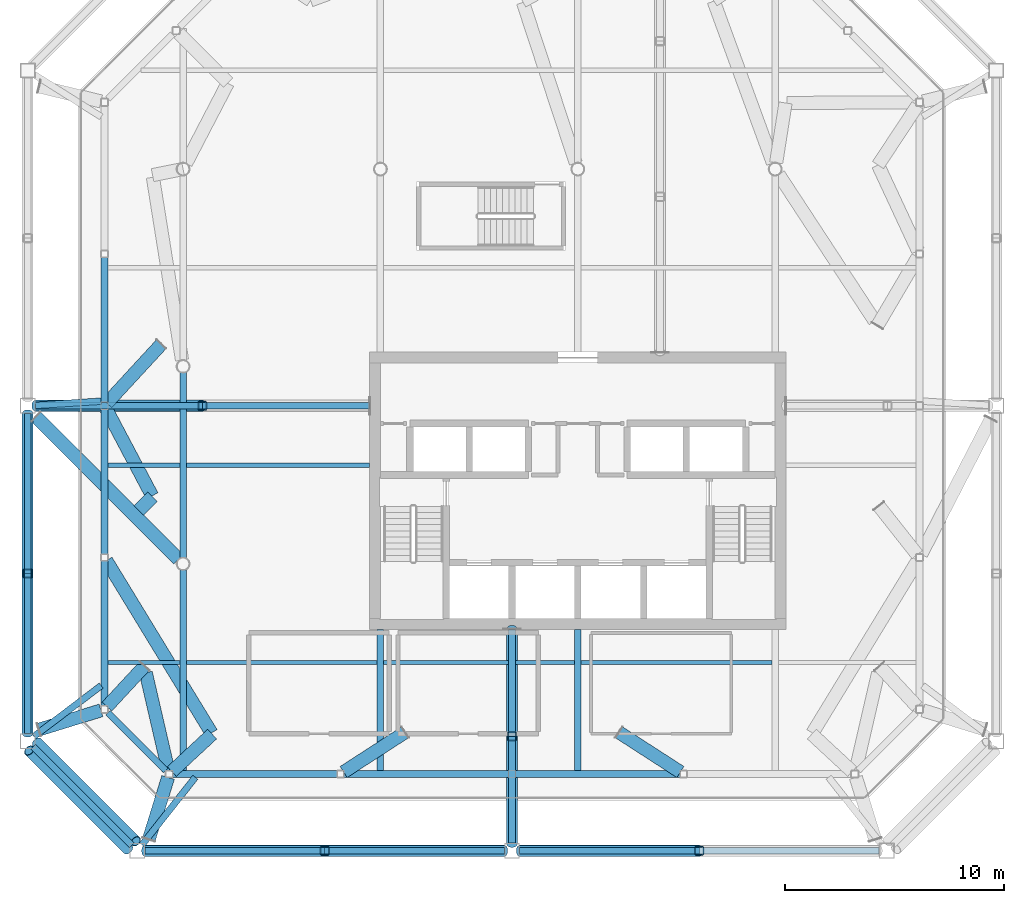
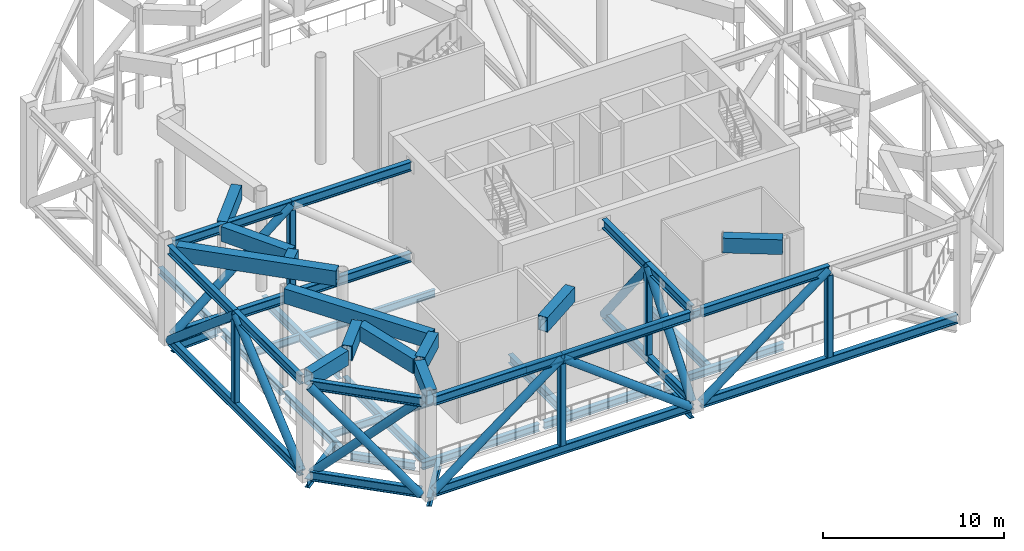
# One storey, part 3 of 17: 51 beams, 15 members.
"""IFC4 building model written with IfcOpenShell, lengths in metres."""

from ifc_helpers import new_model, si_unit, direction, frame, origin, origin_2d, place, context, subcontext, project, spatial, hollow_rectangle, hollow_circle, i_section, extrude, material, material_profile, profile_set, type_object, element, save


model = new_model("IFC4")

# Units and contexts
model_context = context("Model", 3, precision=1e-05, world=origin(), true_north=direction((0.0, 1.0)))
body_context = subcontext(model_context, "Body", "Model", "MODEL_VIEW")
ifc_project = project(units=[si_unit("LENGTHUNIT", "METRE"), si_unit("AREAUNIT", "SQUARE_METRE"), si_unit("VOLUMEUNIT", "CUBIC_METRE"), si_unit("PLANEANGLEUNIT", "RADIAN"), si_unit("MASSUNIT", "GRAM", prefix="KILO")], contexts=[model_context])

# Site, building, storey
site_placement = place(None, origin())
site = spatial("IfcSite", under=ifc_project, at=site_placement, CompositionType="ELEMENT")
building_placement = place(site_placement, origin())
building = spatial("IfcBuilding", under=site, at=building_placement, Name="Tskaro Facet Tower", CompositionType="ELEMENT")
storey_placement = place(building_placement, frame((0.0, 0.0, 210.0)))
storey = spatial("IfcBuildingStorey", under=building, at=storey_placement, Name="L54", CompositionType="ELEMENT", Elevation=210.0)

# Beams
ifc_material_1 = material(Name="Steel S355J2", Category="steel")
ifc_material_profile_1 = material_profile(ifc_material_1, hollow_rectangle(XDim=0.60009765625, YDim=1.0, WallThickness=0.0400390625, at=origin_2d()), Name="BOX 600x1000x40")
ifc_profile_set_1 = profile_set([ifc_material_profile_1], Name="Steel S355J2")
beam_type_1 = type_object("IfcBeamType", Name="BOX 600x1000x40 transfer girder", PredefinedType="BEAM", material=ifc_profile_set_1)
beam_1_placement = place(storey_placement, frame((-24.696044921875, -2.302001953125, 6.280029296875), z_axis=(0.70701365242, -0.70719989769, 0.0), x_axis=(0.70719989769, 0.70701365242, 0.0)))
element("IfcBeam", 1, at=beam_1_placement, inside=storey, type_object=beam_type_1, Name="BOX 600x1000x40 TG5-2", PredefinedType="BEAM", context=body_context, shape_type="SweptSolid", body=[
    extrude(hollow_rectangle(XDim=0.60009765625, YDim=1.0, WallThickness=0.0400390625, at=origin_2d()), origin(), (0.0, 0.0, 1.0), 9.176025390625),
])
for number, where, z_axis, x_axis, name in (
    (2, (-19.556884765625, -21.559814453125, 6.280029296875), (0.296409620077, 0.955060907548, 0.0), (-0.955060907548, 0.296409620077, 0.0), "BOX 600x1000x40 TG5-4"),
    (3, (-24.559814453125, -16.556884765625, 6.280029296875), (0.955060907548, 0.296409620077, 0.0), (-0.296409620077, 0.955060907548, 0.0), "BOX 600x1000x40 TG5-6"),
):
    element("IfcBeam", number, at=place(storey_placement, frame(where, z_axis=z_axis, x_axis=x_axis)), inside=storey, type_object=beam_type_1, Name=name, PredefinedType="BEAM", context=body_context, shape_type="SweptSolid", body=[
        extrude(hollow_rectangle(XDim=0.60009765625, YDim=1.0, WallThickness=0.0400390625, at=origin_2d()), origin(), (0.0, 0.0, 1.0), 2.951904296875),
    ])
beam_2_placement = place(storey_placement, frame((-19.00244140625, 1.004638671875, 6.280029296875), z_axis=(-0.678034991294, -0.735029625649, 0.0), x_axis=(0.735029625649, -0.678034991294, 0.0)))
element("IfcBeam", 4, at=beam_2_placement, inside=storey, type_object=beam_type_1, Name="BOX 600x1000x40 TG5-13", PredefinedType="BEAM", context=body_context, shape_type="SweptSolid", body=[
    extrude(hollow_rectangle(XDim=0.60009765625, YDim=1.0, WallThickness=0.0400390625, at=origin_2d()), origin(), (0.0, 0.0, 1.0), 3.64111328125),
])
beam_3_placement = place(storey_placement, frame((-16.67138671875, -16.764892578125, 6.280029296875), z_axis=(-0.733399539589, -0.679797848872, 0.0), x_axis=(0.679797848872, -0.733399539589, 0.0)))
element("IfcBeam", 5, at=beam_3_placement, inside=storey, type_object=beam_type_1, Name="BOX 600x1000x40 TG5-14", PredefinedType="BEAM", context=body_context, shape_type="SweptSolid", body=[
    extrude(hollow_rectangle(XDim=0.60009765625, YDim=1.0, WallThickness=0.0400390625, at=origin_2d()), origin(), (0.0, 0.0, 1.0), 2.509765625),
])
beam_4_placement = place(storey_placement, frame((-16.70263671875, -16.713623046875, 6.280029296875), z_axis=(-0.520752631069, 0.853707618119, 0.0), x_axis=(-0.853707618119, -0.520752631069, 0.0)))
element("IfcBeam", 6, at=beam_4_placement, inside=storey, type_object=beam_type_1, Name="BOX 600x1000x40 TG5-15", PredefinedType="BEAM", context=body_context, shape_type="SweptSolid", body=[
    extrude(hollow_rectangle(XDim=0.60009765625, YDim=1.0, WallThickness=0.0400390625, at=origin_2d()), origin(), (0.0, 0.0, 1.0), 9.206787109375),
])
beam_5_placement = place(storey_placement, frame((-19.764892578125, -13.67138671875, 6.280029296875), z_axis=(-0.679797848872, -0.733399539589, 0.0), x_axis=(0.733399539589, -0.679797848872, 0.0)))
element("IfcBeam", 7, at=beam_5_placement, inside=storey, type_object=beam_type_1, Name="BOX 600x1000x40 TG5-20", PredefinedType="BEAM", context=body_context, shape_type="SweptSolid", body=[
    extrude(hollow_rectangle(XDim=0.60009765625, YDim=1.0, WallThickness=0.0400390625, at=origin_2d()), origin(), (0.0, 0.0, 1.0), 2.509765625),
])
beam_6_placement = place(storey_placement, frame((-19.697509765625, -13.963623046875, 6.280029296875), z_axis=(0.224539932658, -0.974464888358, 0.0), x_axis=(0.974464888358, 0.224539932658, 0.0)))
element("IfcBeam", 8, at=beam_6_placement, inside=storey, type_object=beam_type_1, Name="BOX 600x1000x40 TG5-21", PredefinedType="BEAM", context=body_context, shape_type="SweptSolid", body=[
    extrude(hollow_rectangle(XDim=0.60009765625, YDim=1.0, WallThickness=0.0400390625, at=origin_2d()), origin(), (0.0, 0.0, 1.0), 4.575439453125),
])
beam_7_placement = place(storey_placement, frame((-19.39111328125, -5.93701171875, 6.280029296875), z_axis=(-0.707106781187, -0.707106781187, 0.0), x_axis=(0.707106781187, -0.707106781187, 0.0)))
element("IfcBeam", 9, at=beam_7_placement, inside=storey, type_object=beam_type_1, Name="BOX 600x1000x40 TG5-22", PredefinedType="BEAM", context=body_context, shape_type="SweptSolid", body=[
    extrude(hollow_rectangle(XDim=0.60009765625, YDim=1.0, WallThickness=0.0400390625, at=origin_2d()), origin(), (0.0, 0.0, 1.0), 0.891845703125),
])
beam_8_placement = place(storey_placement, frame((-19.40966796875, -5.901611328125, 6.280029296875), z_axis=(-0.46759493459, 0.88394285853, 0.0), x_axis=(-0.88394285853, -0.46759493459, 0.0)))
element("IfcBeam", 10, at=beam_8_placement, inside=storey, type_object=beam_type_1, Name="BOX 600x1000x40 TG5-23", PredefinedType="BEAM", context=body_context, shape_type="SweptSolid", body=[
    extrude(hollow_rectangle(XDim=0.60009765625, YDim=1.0, WallThickness=0.0400390625, at=origin_2d()), origin(), (0.0, 0.0, 1.0), 4.48291015625),
])
beam_9_placement = place(storey_placement, frame((-7.885009765625, -16.689453125, 6.280029296875), z_axis=(-0.839973829286, -0.542626912449, 0.0), x_axis=(0.542626912449, -0.839973829286, 0.0)))
element("IfcBeam", 11, at=beam_9_placement, inside=storey, type_object=beam_type_1, Name="BOX 600x1000x40 TG5-37", PredefinedType="BEAM", context=body_context, shape_type="SweptSolid", body=[
    extrude(hollow_rectangle(XDim=0.60009765625, YDim=1.0, WallThickness=0.0400390625, at=origin_2d()), origin(), (0.0, 0.0, 1.0), 3.324462890625),
])
beam_10_placement = place(storey_placement, frame((1.885009765625, -16.689453125, 6.280029296875), z_axis=(0.840060289756, -0.542493050254, 0.0), x_axis=(0.542493050254, 0.840060289756, 0.0)))
element("IfcBeam", 12, at=beam_10_placement, inside=storey, type_object=beam_type_1, Name="BOX 600x1000x40 TG5-38", PredefinedType="BEAM", context=body_context, shape_type="SweptSolid", body=[
    extrude(hollow_rectangle(XDim=0.60009765625, YDim=1.0, WallThickness=0.0400390625, at=origin_2d()), origin(), (0.0, 0.0, 1.0), 3.3251953125),
])

# Members
ifc_material_2 = material(Name="Steel S355J2H", Category="steel")
ifc_material_profile_2 = material_profile(ifc_material_2, hollow_circle(Radius=0.25390625, WallThickness=0.02490234375, at=origin_2d()), Name="CHS 508x25")
ifc_profile_set_2 = profile_set([ifc_material_profile_2], Name="Steel S355J2H")
member_type_1 = type_object("IfcMemberType", Name="CHS 508x25 belt diagonal", PredefinedType="BRACE", material=ifc_profile_set_2)
for number, where, z_axis, x_axis, name in (
    (13, (-19.73388671875, -22.0849609375, 0.31005859375), (0.799250481473, 0.0, 0.600998059785), (0.0, 1.0, 0.0), "CHS 508x25 BD4-011"),
    (14, (-11.5419921875, -22.0849609375, 6.469970703125), (0.799250481473, 0.0, -0.600998059785), (0.0, 1.0, 0.0), "CHS 508x25 BD4-012"),
    (15, (-2.64990234375, -22.0849609375, 0.31005859375), (0.799250481473, 0.0, 0.600998059785), (0.0, 1.0, 0.0), "CHS 508x25 BD4-021"),
):
    element("IfcMember", number, at=place(storey_placement, frame(where, z_axis=z_axis, x_axis=x_axis)), inside=storey, type_object=member_type_1, Name=name, PredefinedType="BRACE", context=body_context, shape_type="SweptSolid", body=[
        extrude(hollow_circle(Radius=0.25390625, WallThickness=0.02490234375, at=origin_2d()), origin(), (0.0, 0.0, 1.0), 10.24951171875),
    ])
for number, where, z_axis, x_axis, name in (
    (16, (-25.0849609375, -2.14306640625, 0.31005859375), (0.0, -0.764063805812, 0.645140682834), (1.0, 0.0, 0.0), "CHS 508x25 BD4-111"),
    (17, (-25.0849609375, -9.4384765625, 6.469970703125), (0.0, -0.764063805812, -0.645140682834), (1.0, 0.0, 0.0), "CHS 508x25 BD4-112"),
):
    element("IfcMember", number, at=place(storey_placement, frame(where, z_axis=z_axis, x_axis=x_axis)), inside=storey, type_object=member_type_1, Name=name, PredefinedType="BRACE", context=body_context, shape_type="SweptSolid", body=[
        extrude(hollow_circle(Radius=0.25390625, WallThickness=0.02490234375, at=origin_2d()), origin(), (0.0, 0.0, 1.0), 9.548095703125),
    ])
for number, where, z_axis, x_axis, name in (
    (18, (-24.657958984375, -17.15185546875, 0.31005859375), (0.508411955211, -0.508411955211, 0.69500688313), (0.707106781187, 0.707106781187, 0.0), "CHS 508x25 BD4-121"),
    (19, (-25.01708984375, -17.510986328125, 6.469970703125), (0.508411955211, -0.508411955211, -0.69500688313), (0.707106781187, 0.707106781187, 0.0), "CHS 508x25 BD4-122"),
):
    element("IfcMember", number, at=place(storey_placement, frame(where, z_axis=z_axis, x_axis=x_axis)), inside=storey, type_object=member_type_1, Name=name, PredefinedType="BRACE", context=body_context, shape_type="SweptSolid", body=[
        extrude(hollow_circle(Radius=0.25390625, WallThickness=0.02490234375, at=origin_2d()), origin(), (0.0, 0.0, 1.0), 8.863037109375),
    ])
ifc_material_profile_3 = material_profile(ifc_material_2, hollow_circle(Radius=0.25390625, WallThickness=0.02490234375, at=origin_2d()), Name="CHS 508x25")
ifc_profile_set_3 = profile_set([ifc_material_profile_3], Name="Steel S355J2H")
member_type_2 = type_object("IfcMemberType", Name="CHS 508x25 outrigger truss diagonal", PredefinedType="BRACE", material=ifc_profile_set_3)
member_1_placement = place(storey_placement, frame((-3.0, -21.735107421875, 0.31005859375), z_axis=(0.0, 0.62000416931, 0.78459851519), x_axis=(-1.0, 0.0, 0.0)))
element("IfcMember", 20, at=member_1_placement, inside=storey, type_object=member_type_2, Name="Outrigger truss diagonal OR4S-D1", PredefinedType="BRACE", context=body_context, shape_type="SweptSolid", body=[
    extrude(hollow_circle(Radius=0.25390625, WallThickness=0.02490234375, at=origin_2d()), origin(), (0.0, 0.0, 1.0), 7.85107421875),
])
member_2_placement = place(storey_placement, frame((-3.0, -16.867431640625, 6.469970703125), z_axis=(0.0, 0.619985025845, -0.784613642328), x_axis=(-1.0, 0.0, 0.0)))
element("IfcMember", 21, at=member_2_placement, inside=storey, type_object=member_type_2, Name="Outrigger truss diagonal OR4S-D2", PredefinedType="BRACE", context=body_context, shape_type="SweptSolid", body=[
    extrude(hollow_circle(Radius=0.25390625, WallThickness=0.02490234375, at=origin_2d()), origin(), (0.0, 0.0, 1.0), 7.850830078125),
])
member_3_placement = place(storey_placement, frame((-24.735107421875, -1.79296875, 0.31005859375), z_axis=(0.777583102736, 0.0, 0.628780182845), x_axis=(0.0, 1.0, 0.0)))
element("IfcMember", 22, at=member_3_placement, inside=storey, type_object=member_type_2, Name="Outrigger truss diagonal OR4W-D1", PredefinedType="BRACE", context=body_context, shape_type="SweptSolid", body=[
    extrude(hollow_circle(Radius=0.25390625, WallThickness=0.02490234375, at=origin_2d()), origin(), (0.0, 0.0, 1.0), 9.796630859375),
])

# Beams
ifc_material_profile_4 = material_profile(ifc_material_1, i_section(OverallWidth=0.300048828125, OverallDepth=0.5, WebThickness=0.014404296875, FlangeThickness=0.028076171875, FilletRadius=0.027099609375, at=origin_2d()), Name="HE 500 B")
ifc_profile_set_4 = profile_set([ifc_material_profile_4], Name="Steel S355J2")
beam_type_2 = type_object("IfcBeamType", Name="HE 500 B ring beam", PredefinedType="BEAM", material=ifc_profile_set_4)
beam_11_placement = place(storey_placement, frame((-18.47802734375, -18.5830078125, -0.5), z_axis=(1.0, 0.0, 0.0), x_axis=(0.0, 1.0, 0.0)))
element("IfcBeam", 23, at=beam_11_placement, inside=storey, type_object=beam_type_2, Name="HE 500 B EB1-4", PredefinedType="BEAM", context=body_context, shape_type="SweptSolid", body=[
    extrude(i_section(OverallWidth=0.300048828125, OverallDepth=0.5, WebThickness=0.014404296875, FlangeThickness=0.028076171875, FilletRadius=0.027099609375, at=origin_2d()), origin(), (0.0, 0.0, 1.0), 7.507080078125),
])
beam_12_placement = place(storey_placement, frame((-10.660888671875, -18.5830078125, -0.5), z_axis=(1.0, 0.0, 0.0), x_axis=(0.0, 1.0, 0.0)))
element("IfcBeam", 24, at=beam_12_placement, inside=storey, type_object=beam_type_2, Name="HE 500 B EB2-4", PredefinedType="BEAM", context=body_context, shape_type="SweptSolid", body=[
    extrude(i_section(OverallWidth=0.300048828125, OverallDepth=0.5, WebThickness=0.014404296875, FlangeThickness=0.028076171875, FilletRadius=0.027099609375, at=origin_2d()), origin(), (0.0, 0.0, 1.0), 7.505859375),
])
beam_13_placement = place(storey_placement, frame((-2.844970703125, -18.5830078125, -0.5), z_axis=(1.0, 0.0, 0.0), x_axis=(0.0, 1.0, 0.0)))
element("IfcBeam", 25, at=beam_13_placement, inside=storey, type_object=beam_type_2, Name="HE 500 B EB3-4", PredefinedType="BEAM", context=body_context, shape_type="SweptSolid", body=[
    extrude(i_section(OverallWidth=0.300048828125, OverallDepth=0.5, WebThickness=0.014404296875, FlangeThickness=0.028076171875, FilletRadius=0.027099609375, at=origin_2d()), origin(), (0.0, 0.0, 1.0), 7.507080078125),
])
beam_14_placement = place(storey_placement, frame((-21.5830078125, 4.970947265625, -0.5), z_axis=(0.0, -1.0, 0.0), x_axis=(1.0, 0.0, 0.0)))
element("IfcBeam", 26, at=beam_14_placement, inside=storey, type_object=beam_type_2, Name="HE 500 B EB18-4", PredefinedType="BEAM", context=body_context, shape_type="SweptSolid", body=[
    extrude(i_section(OverallWidth=0.300048828125, OverallDepth=0.5, WebThickness=0.014404296875, FlangeThickness=0.028076171875, FilletRadius=0.027099609375, at=origin_2d()), origin(), (0.0, 0.0, 1.0), 6.60888671875),
])
for number, where, z_axis, x_axis, name in (
    (27, (-21.5830078125, -1.947998046875, -0.5), (0.0, -1.0, 0.0), (1.0, 0.0, 0.0), "HE 500 B EB19-4"),
    (28, (-21.5830078125, -8.867919921875, -0.5), (0.0, -1.0, 0.0), (1.0, 0.0, 0.0), "HE 500 B EB20-4"),
):
    element("IfcBeam", number, at=place(storey_placement, frame(where, z_axis=z_axis, x_axis=x_axis)), inside=storey, type_object=beam_type_2, Name=name, PredefinedType="BEAM", context=body_context, shape_type="SweptSolid", body=[
        extrude(i_section(OverallWidth=0.300048828125, OverallDepth=0.5, WebThickness=0.014404296875, FlangeThickness=0.028076171875, FilletRadius=0.027099609375, at=origin_2d()), origin(), (0.0, 0.0, 1.0), 6.610107421875),
    ])
beam_15_placement = place(storey_placement, frame((-21.422119140625, -15.7939453125, -0.5), z_axis=(0.707106781187, -0.707106781187, 0.0), x_axis=(0.707106781187, 0.707106781187, 0.0)))
element("IfcBeam", 29, at=beam_15_placement, inside=storey, type_object=beam_type_2, Name="HE 500 B EB21-4", PredefinedType="BEAM", context=body_context, shape_type="SweptSolid", body=[
    extrude(i_section(OverallWidth=0.300048828125, OverallDepth=0.5, WebThickness=0.014404296875, FlangeThickness=0.028076171875, FilletRadius=0.027099609375, at=origin_2d()), origin(), (0.0, 0.0, 1.0), 3.716796875),
])
ifc_material_profile_5 = material_profile(ifc_material_1, i_section(OverallWidth=0.300048828125, OverallDepth=0.590087890625, WebThickness=0.012939453125, FlangeThickness=0.02490234375, FilletRadius=0.027099609375, at=origin_2d()), Name="HE 600 A")
ifc_profile_set_5 = profile_set([ifc_material_profile_5], Name="Steel S355J2")
beam_type_3 = type_object("IfcBeamType", Name="HE 600 A girder", PredefinedType="BEAM", material=ifc_profile_set_5)
beam_16_placement = place(storey_placement, frame((-18.0, -18.43310546875, -0.544921875), z_axis=(0.0, 1.0, 0.0), x_axis=(-1.0, 0.0, 0.0)))
element("IfcBeam", 30, at=beam_16_placement, inside=storey, type_object=beam_type_3, Name="HE 600 A GB2-1-4", PredefinedType="BEAM", context=body_context, shape_type="SweptSolid", body=[
    extrude(i_section(OverallWidth=0.300048828125, OverallDepth=0.590087890625, WebThickness=0.012939453125, FlangeThickness=0.02490234375, FilletRadius=0.027099609375, at=origin_2d()), origin(), (0.0, 0.0, 1.0), 9.158203125),
])
beam_17_placement = place(storey_placement, frame((-18.0, -8.72509765625, -0.544921875), z_axis=(0.0, 1.0, 0.0), x_axis=(-1.0, 0.0, 0.0)))
element("IfcBeam", 31, at=beam_17_placement, inside=storey, type_object=beam_type_3, Name="HE 600 A GB2-2-4", PredefinedType="BEAM", context=body_context, shape_type="SweptSolid", body=[
    extrude(i_section(OverallWidth=0.300048828125, OverallDepth=0.590087890625, WebThickness=0.012939453125, FlangeThickness=0.02490234375, FilletRadius=0.027099609375, at=origin_2d()), origin(), (0.0, 0.0, 1.0), 8.4501953125),
])
for number, where, z_axis, x_axis, name in (
    (32, (-9.0, -18.43310546875, -0.544921875), (0.0, 1.0, 0.0), (-1.0, 0.0, 0.0), "HE 600 A GB3-1-4"),
    (33, (0.0, -18.43310546875, -0.544921875), (0.0, 1.0, 0.0), (-1.0, 0.0, 0.0), "HE 600 A GB4-1-4"),
):
    element("IfcBeam", number, at=place(storey_placement, frame(where, z_axis=z_axis, x_axis=x_axis)), inside=storey, type_object=beam_type_3, Name=name, PredefinedType="BEAM", context=body_context, shape_type="SweptSolid", body=[
        extrude(i_section(OverallWidth=0.300048828125, OverallDepth=0.590087890625, WebThickness=0.012939453125, FlangeThickness=0.02490234375, FilletRadius=0.027099609375, at=origin_2d()), origin(), (0.0, 0.0, 1.0), 6.43310546875),
    ])
ifc_material_profile_6 = material_profile(ifc_material_1, i_section(OverallWidth=0.300048828125, OverallDepth=0.60009765625, WebThickness=0.015380859375, FlangeThickness=0.030029296875, FilletRadius=0.027099609375, at=origin_2d()), Name="HE 600 B")
ifc_profile_set_6 = profile_set([ifc_material_profile_6], Name="Steel S355J2")
beam_type_4 = type_object("IfcBeamType", Name="HE 600 B floor strut", PredefinedType="BEAM", material=ifc_profile_set_6)
beam_18_placement = place(storey_placement, frame((-19.8671875, -21.81005859375, -0.550048828125), z_axis=(0.619124979964, 0.785292467291, 0.0), x_axis=(-0.785292467291, 0.619124979964, 0.0)))
element("IfcBeam", 34, at=beam_18_placement, inside=storey, type_object=beam_type_4, Name="HE 600 B ES4-01", PredefinedType="BEAM", context=body_context, shape_type="SweptSolid", body=[
    extrude(i_section(OverallWidth=0.300048828125, OverallDepth=0.60009765625, WebThickness=0.015380859375, FlangeThickness=0.030029296875, FilletRadius=0.027099609375, at=origin_2d()), origin(), (0.0, 0.0, 1.0), 3.91845703125),
])
beam_19_placement = place(storey_placement, frame((-3.0, -21.735107421875, -0.550048828125), z_axis=(0.0, 1.0, 0.0), x_axis=(-1.0, 0.0, 0.0)))
element("IfcBeam", 35, at=beam_19_placement, inside=storey, type_object=beam_type_4, Name="HE 600 B ES4-02", PredefinedType="BEAM", context=body_context, shape_type="SweptSolid", body=[
    extrude(i_section(OverallWidth=0.300048828125, OverallDepth=0.60009765625, WebThickness=0.015380859375, FlangeThickness=0.030029296875, FilletRadius=0.027099609375, at=origin_2d()), origin(), (0.0, 0.0, 1.0), 3.002197265625),
])
beam_20_placement = place(storey_placement, frame((-24.735595703125, -1.771240234375, -0.550048828125), z_axis=(0.998061094624, 0.062241878167, 0.0), x_axis=(-0.062241878167, 0.998061094624, 0.0)))
element("IfcBeam", 36, at=beam_20_placement, inside=storey, type_object=beam_type_4, Name="HE 600 B ES4-11", PredefinedType="BEAM", context=body_context, shape_type="SweptSolid", body=[
    extrude(i_section(OverallWidth=0.300048828125, OverallDepth=0.60009765625, WebThickness=0.015380859375, FlangeThickness=0.030029296875, FilletRadius=0.027099609375, at=origin_2d()), origin(), (0.0, 0.0, 1.0), 3.008544921875),
])
beam_21_placement = place(storey_placement, frame((-24.8056640625, -16.873046875, -0.550048828125), z_axis=(0.798215616898, 0.602371836111, 0.0), x_axis=(-0.602371836111, 0.798215616898, 0.0)))
element("IfcBeam", 37, at=beam_21_placement, inside=storey, type_object=beam_type_4, Name="HE 600 B ES4-12", PredefinedType="BEAM", context=body_context, shape_type="SweptSolid", body=[
    extrude(i_section(OverallWidth=0.300048828125, OverallDepth=0.60009765625, WebThickness=0.015380859375, FlangeThickness=0.030029296875, FilletRadius=0.027099609375, at=origin_2d()), origin(), (0.0, 0.0, 1.0), 3.849609375),
])
ifc_material_profile_7 = material_profile(ifc_material_1, i_section(OverallWidth=0.304931640625, OverallDepth=0.6201171875, WebThickness=0.02099609375, FlangeThickness=0.0400390625, FilletRadius=0.027099609375, at=origin_2d()), Name="HE 600 M")
ifc_profile_set_7 = profile_set([ifc_material_profile_7], Name="Steel S355J2")
beam_type_5 = type_object("IfcBeamType", Name="HE 600 M belt chord", PredefinedType="BEAM", material=ifc_profile_set_7)
for number, where, z_axis, x_axis, name in (
    (38, (-19.73388671875, -22.0849609375, 6.469970703125), (1.0, 0.0, 0.0), (0.0, 1.0, 0.0), "HE 600 M BT4-01T1"),
    (39, (-11.5419921875, -22.0849609375, 6.469970703125), (1.0, 0.0, 0.0), (0.0, 1.0, 0.0), "HE 600 M BT4-01T2"),
):
    element("IfcBeam", number, at=place(storey_placement, frame(where, z_axis=z_axis, x_axis=x_axis)), inside=storey, type_object=beam_type_5, Name=name, PredefinedType="BEAM", context=body_context, shape_type="SweptSolid", body=[
        extrude(i_section(OverallWidth=0.304931640625, OverallDepth=0.6201171875, WebThickness=0.02099609375, FlangeThickness=0.0400390625, FilletRadius=0.027099609375, at=origin_2d()), origin(), (0.0, 0.0, 1.0), 8.19189453125),
    ])
beam_22_placement = place(storey_placement, frame((-19.73388671875, -22.0849609375, 0.31005859375), z_axis=(1.0, 0.0, 0.0), x_axis=(0.0, 1.0, 0.0)))
element("IfcBeam", 40, at=beam_22_placement, inside=storey, type_object=beam_type_5, Name="HE 600 M BT4-01B1", PredefinedType="BEAM", context=body_context, shape_type="SweptSolid", body=[
    extrude(i_section(OverallWidth=0.304931640625, OverallDepth=0.6201171875, WebThickness=0.02099609375, FlangeThickness=0.0400390625, FilletRadius=0.027099609375, at=origin_2d()), origin(), (0.0, 0.0, 1.0), 16.3837890625),
])
beam_23_placement = place(storey_placement, frame((-2.64990234375, -22.0849609375, 6.469970703125), z_axis=(1.0, 0.0, 0.0), x_axis=(0.0, 1.0, 0.0)))
element("IfcBeam", 41, at=beam_23_placement, inside=storey, type_object=beam_type_5, Name="HE 600 M BT4-02T1", PredefinedType="BEAM", context=body_context, shape_type="SweptSolid", body=[
    extrude(i_section(OverallWidth=0.304931640625, OverallDepth=0.6201171875, WebThickness=0.02099609375, FlangeThickness=0.0400390625, FilletRadius=0.027099609375, at=origin_2d()), origin(), (0.0, 0.0, 1.0), 8.19189453125),
])
beam_24_placement = place(storey_placement, frame((-2.64990234375, -22.0849609375, 0.31005859375), z_axis=(1.0, 0.0, 0.0), x_axis=(0.0, 1.0, 0.0)))
element("IfcBeam", 42, at=beam_24_placement, inside=storey, type_object=beam_type_5, Name="HE 600 M BT4-02B1", PredefinedType="BEAM", context=body_context, shape_type="SweptSolid", body=[
    extrude(i_section(OverallWidth=0.304931640625, OverallDepth=0.6201171875, WebThickness=0.02099609375, FlangeThickness=0.0400390625, FilletRadius=0.027099609375, at=origin_2d()), origin(), (0.0, 0.0, 1.0), 16.3837890625),
])
for number, where, z_axis, x_axis, name in (
    (43, (-25.0849609375, -2.14306640625, 6.469970703125), (0.0, -1.0, 0.0), (1.0, 0.0, 0.0), "HE 600 M BT4-11T1"),
    (44, (-25.0849609375, -9.4384765625, 6.469970703125), (0.0, -1.0, 0.0), (1.0, 0.0, 0.0), "HE 600 M BT4-11T2"),
):
    element("IfcBeam", number, at=place(storey_placement, frame(where, z_axis=z_axis, x_axis=x_axis)), inside=storey, type_object=beam_type_5, Name=name, PredefinedType="BEAM", context=body_context, shape_type="SweptSolid", body=[
        extrude(i_section(OverallWidth=0.304931640625, OverallDepth=0.6201171875, WebThickness=0.02099609375, FlangeThickness=0.0400390625, FilletRadius=0.027099609375, at=origin_2d()), origin(), (0.0, 0.0, 1.0), 7.29541015625),
    ])
beam_25_placement = place(storey_placement, frame((-25.0849609375, -2.14306640625, 0.31005859375), z_axis=(0.0, -1.0, 0.0), x_axis=(1.0, 0.0, 0.0)))
element("IfcBeam", 45, at=beam_25_placement, inside=storey, type_object=beam_type_5, Name="HE 600 M BT4-11B1", PredefinedType="BEAM", context=body_context, shape_type="SweptSolid", body=[
    extrude(i_section(OverallWidth=0.304931640625, OverallDepth=0.6201171875, WebThickness=0.02099609375, FlangeThickness=0.0400390625, FilletRadius=0.027099609375, at=origin_2d()), origin(), (0.0, 0.0, 1.0), 14.5908203125),
])
for number, where, z_axis, x_axis, name in (
    (46, (-24.83740234375, -17.33154296875, 6.469970703125), (0.707106781187, -0.707106781187, 0.0), (0.707106781187, 0.707106781187, 0.0), "HE 600 M BT4-12T1"),
    (47, (-24.83740234375, -17.33154296875, 0.31005859375), (0.707106781187, -0.707106781187, 0.0), (0.707106781187, 0.707106781187, 0.0), "HE 600 M BT4-12B1"),
):
    element("IfcBeam", number, at=place(storey_placement, frame(where, z_axis=z_axis, x_axis=x_axis)), inside=storey, type_object=beam_type_5, Name=name, PredefinedType="BEAM", context=body_context, shape_type="SweptSolid", body=[
        extrude(i_section(OverallWidth=0.304931640625, OverallDepth=0.6201171875, WebThickness=0.02099609375, FlangeThickness=0.0400390625, FilletRadius=0.027099609375, at=origin_2d()), origin(), (0.0, 0.0, 1.0), 6.372314453125),
    ])
ifc_material_profile_8 = material_profile(ifc_material_1, i_section(OverallWidth=0.304931640625, OverallDepth=0.6201171875, WebThickness=0.02099609375, FlangeThickness=0.0400390625, FilletRadius=0.027099609375, at=origin_2d()), Name="HE 600 M")
ifc_profile_set_8 = profile_set([ifc_material_profile_8], Name="Steel S355J2")
beam_type_6 = type_object("IfcBeamType", Name="HE 600 M outrigger truss chord", PredefinedType="BEAM", material=ifc_profile_set_8)
for number, where, z_axis, x_axis, name in (
    (48, (-3.0, -21.735107421875, 6.469970703125), (0.0, 1.0, 0.0), (-1.0, 0.0, 0.0), "Outrigger truss chord OR4S-T1"),
    (49, (-3.0, -21.735107421875, 0.31005859375), (0.0, 1.0, 0.0), (-1.0, 0.0, 0.0), "Outrigger truss chord OR4S-B1"),
):
    element("IfcBeam", number, at=place(storey_placement, frame(where, z_axis=z_axis, x_axis=x_axis)), inside=storey, type_object=beam_type_6, Name=name, PredefinedType="BEAM", context=body_context, shape_type="SweptSolid", body=[
        extrude(i_section(OverallWidth=0.304931640625, OverallDepth=0.6201171875, WebThickness=0.02099609375, FlangeThickness=0.0400390625, FilletRadius=0.027099609375, at=origin_2d()), origin(), (0.0, 0.0, 1.0), 4.86767578125),
    ])
for number, where, z_axis, x_axis, name in (
    (50, (-3.0, -16.867431640625, 6.469970703125), (0.0, 1.0, 0.0), (-1.0, 0.0, 0.0), "Outrigger truss chord OR4S-T2"),
    (51, (-3.0, -16.867431640625, 0.31005859375), (0.0, 1.0, 0.0), (-1.0, 0.0, 0.0), "Outrigger truss chord OR4S-B2"),
):
    element("IfcBeam", number, at=place(storey_placement, frame(where, z_axis=z_axis, x_axis=x_axis)), inside=storey, type_object=beam_type_6, Name=name, PredefinedType="BEAM", context=body_context, shape_type="SweptSolid", body=[
        extrude(i_section(OverallWidth=0.304931640625, OverallDepth=0.6201171875, WebThickness=0.02099609375, FlangeThickness=0.0400390625, FilletRadius=0.027099609375, at=origin_2d()), origin(), (0.0, 0.0, 1.0), 4.867431640625),
    ])
for number, where, z_axis, x_axis, name in (
    (52, (-24.735107421875, -1.79296875, 6.469970703125), (1.0, 0.0, 0.0), (0.0, 1.0, 0.0), "Outrigger truss chord OR4W-T1"),
    (53, (-24.735107421875, -1.79296875, 0.31005859375), (1.0, 0.0, 0.0), (0.0, 1.0, 0.0), "Outrigger truss chord OR4W-B1"),
):
    element("IfcBeam", number, at=place(storey_placement, frame(where, z_axis=z_axis, x_axis=x_axis)), inside=storey, type_object=beam_type_6, Name=name, PredefinedType="BEAM", context=body_context, shape_type="SweptSolid", body=[
        extrude(i_section(OverallWidth=0.304931640625, OverallDepth=0.6201171875, WebThickness=0.02099609375, FlangeThickness=0.0400390625, FilletRadius=0.027099609375, at=origin_2d()), origin(), (0.0, 0.0, 1.0), 7.61767578125),
    ])
for number, where, z_axis, x_axis, name in (
    (54, (-17.117431640625, -1.79296875, 6.469970703125), (1.0, 0.0, 0.0), (0.0, 1.0, 0.0), "Outrigger truss chord OR4W-T2"),
    (55, (-17.117431640625, -1.79296875, 0.31005859375), (1.0, 0.0, 0.0), (0.0, 1.0, 0.0), "Outrigger truss chord OR4W-B2"),
):
    element("IfcBeam", number, at=place(storey_placement, frame(where, z_axis=z_axis, x_axis=x_axis)), inside=storey, type_object=beam_type_6, Name=name, PredefinedType="BEAM", context=body_context, shape_type="SweptSolid", body=[
        extrude(i_section(OverallWidth=0.304931640625, OverallDepth=0.6201171875, WebThickness=0.02099609375, FlangeThickness=0.0400390625, FilletRadius=0.027099609375, at=origin_2d()), origin(), (0.0, 0.0, 1.0), 7.617431640625),
    ])
ifc_material_profile_9 = material_profile(ifc_material_1, i_section(OverallWidth=0.199951171875, OverallDepth=0.5, WebThickness=0.01025390625, FlangeThickness=0.01611328125, FilletRadius=0.02099609375, at=origin_2d()), Name="IPE 500")
ifc_profile_set_9 = profile_set([ifc_material_profile_9], Name="Steel S355J2")
beam_type_7 = type_object("IfcBeamType", Name="IPE 500 secondary beam", PredefinedType="BEAM", material=ifc_profile_set_9)
beam_26_placement = place(storey_placement, frame((-21.43310546875, -13.5, -0.5), z_axis=(1.0, 0.0, 0.0), x_axis=(0.0, 1.0, 0.0)))
element("IfcBeam", 56, at=beam_26_placement, inside=storey, type_object=beam_type_7, Name="IPE 500 SB2a-1-4", PredefinedType="BEAM", context=body_context, shape_type="SweptSolid", body=[
    extrude(i_section(OverallWidth=0.199951171875, OverallDepth=0.5, WebThickness=0.01025390625, FlangeThickness=0.01611328125, FilletRadius=0.02099609375, at=origin_2d()), origin(), (0.0, 0.0, 1.0), 3.283203125),
])
for number, where, z_axis, x_axis, name in (
    (57, (-17.85009765625, -13.5, -0.5), (1.0, 0.0, 0.0), (0.0, 1.0, 0.0), "IPE 500 SB2a-2-4"),
    (58, (-8.85009765625, -13.5, -0.5), (1.0, 0.0, 0.0), (0.0, 1.0, 0.0), "IPE 500 SB2a-3-4"),
    (59, (0.14990234375, -13.5, -0.5), (1.0, 0.0, 0.0), (0.0, 1.0, 0.0), "IPE 500 SB2a-4-4"),
):
    element("IfcBeam", number, at=place(storey_placement, frame(where, z_axis=z_axis, x_axis=x_axis)), inside=storey, type_object=beam_type_7, Name=name, PredefinedType="BEAM", context=body_context, shape_type="SweptSolid", body=[
        extrude(i_section(OverallWidth=0.199951171875, OverallDepth=0.5, WebThickness=0.01025390625, FlangeThickness=0.01611328125, FilletRadius=0.02099609375, at=origin_2d()), origin(), (0.0, 0.0, 1.0), 8.7001953125),
    ])
beam_27_placement = place(storey_placement, frame((-21.43310546875, -4.5, -0.5), z_axis=(1.0, 0.0, 0.0), x_axis=(0.0, 1.0, 0.0)))
element("IfcBeam", 60, at=beam_27_placement, inside=storey, type_object=beam_type_7, Name="IPE 500 SB3a-1-4", PredefinedType="BEAM", context=body_context, shape_type="SweptSolid", body=[
    extrude(i_section(OverallWidth=0.199951171875, OverallDepth=0.5, WebThickness=0.01025390625, FlangeThickness=0.01611328125, FilletRadius=0.02099609375, at=origin_2d()), origin(), (0.0, 0.0, 1.0), 3.283203125),
])
beam_28_placement = place(storey_placement, frame((-17.85009765625, -4.5, -0.5), z_axis=(1.0, 0.0, 0.0), x_axis=(0.0, 1.0, 0.0)))
element("IfcBeam", 61, at=beam_28_placement, inside=storey, type_object=beam_type_7, Name="IPE 500 SB3a-2-4", PredefinedType="BEAM", context=body_context, shape_type="SweptSolid", body=[
    extrude(i_section(OverallWidth=0.199951171875, OverallDepth=0.5, WebThickness=0.01025390625, FlangeThickness=0.01611328125, FilletRadius=0.02099609375, at=origin_2d()), origin(), (0.0, 0.0, 1.0), 8.35009765625),
])

# Members
ifc_material_profile_10 = material_profile(ifc_material_2, hollow_rectangle(XDim=0.39990234375, YDim=0.39990234375, WallThickness=0.02490234375, InnerFilletRadius=0.03759765625, OuterFilletRadius=0.0625, at=origin_2d()), Name="SHS 400x400x25")
ifc_profile_set_10 = profile_set([ifc_material_profile_10], Name="Steel S355J2H")
member_type_3 = type_object("IfcMemberType", Name="SHS 400x400x25 belt post", PredefinedType="POST", material=ifc_profile_set_10)
for number, where, z_axis, x_axis, name in (
    (62, (-11.5419921875, -22.0849609375, 0.6201171875), (0.0, 0.0, 1.0), (1.0, 0.0, 0.0), "SHS 400x400x25 BP4-011"),
    (63, (5.5419921875, -22.0849609375, 0.6201171875), (0.0, 0.0, 1.0), (1.0, 0.0, 0.0), "SHS 400x400x25 BP4-021"),
    (64, (-25.0849609375, -9.4384765625, 0.6201171875), (0.0, 0.0, 1.0), (1.0, 0.0, 0.0), "SHS 400x400x25 BP4-111"),
):
    element("IfcMember", number, at=place(storey_placement, frame(where, z_axis=z_axis, x_axis=x_axis)), inside=storey, type_object=member_type_3, Name=name, PredefinedType="POST", context=body_context, shape_type="SweptSolid", body=[
        extrude(hollow_rectangle(XDim=0.39990234375, YDim=0.39990234375, WallThickness=0.02490234375, InnerFilletRadius=0.03759765625, OuterFilletRadius=0.0625, at=origin_2d()), origin(), (0.0, 0.0, 1.0), 5.539794921875),
    ])
ifc_material_profile_11 = material_profile(ifc_material_2, hollow_rectangle(XDim=0.39990234375, YDim=0.39990234375, WallThickness=0.02490234375, InnerFilletRadius=0.03759765625, OuterFilletRadius=0.0625, at=origin_2d()), Name="SHS 400x400x25")
ifc_profile_set_11 = profile_set([ifc_material_profile_11], Name="Steel S355J2H")
member_type_4 = type_object("IfcMemberType", Name="SHS 400x400x25 outrigger truss post", PredefinedType="POST", material=ifc_profile_set_11)
for number, where, z_axis, x_axis, name in (
    (65, (-3.0, -16.867431640625, 0.580078125), (0.0, 0.0, 1.0), (1.0, 0.0, 0.0), "Outrigger truss post OR4S-P1"),
    (66, (-17.117431640625, -1.79296875, 0.580078125), (0.0, 0.0, 1.0), (1.0, 0.0, 0.0), "Outrigger truss post OR4W-P1"),
):
    element("IfcMember", number, at=place(storey_placement, frame(where, z_axis=z_axis, x_axis=x_axis)), inside=storey, type_object=member_type_4, Name=name, PredefinedType="POST", context=body_context, shape_type="SweptSolid", body=[
        extrude(hollow_rectangle(XDim=0.39990234375, YDim=0.39990234375, WallThickness=0.02490234375, InnerFilletRadius=0.03759765625, OuterFilletRadius=0.0625, at=origin_2d()), origin(), (0.0, 0.0, 1.0), 5.619873046875),
    ])

save(model, "model.ifc")
